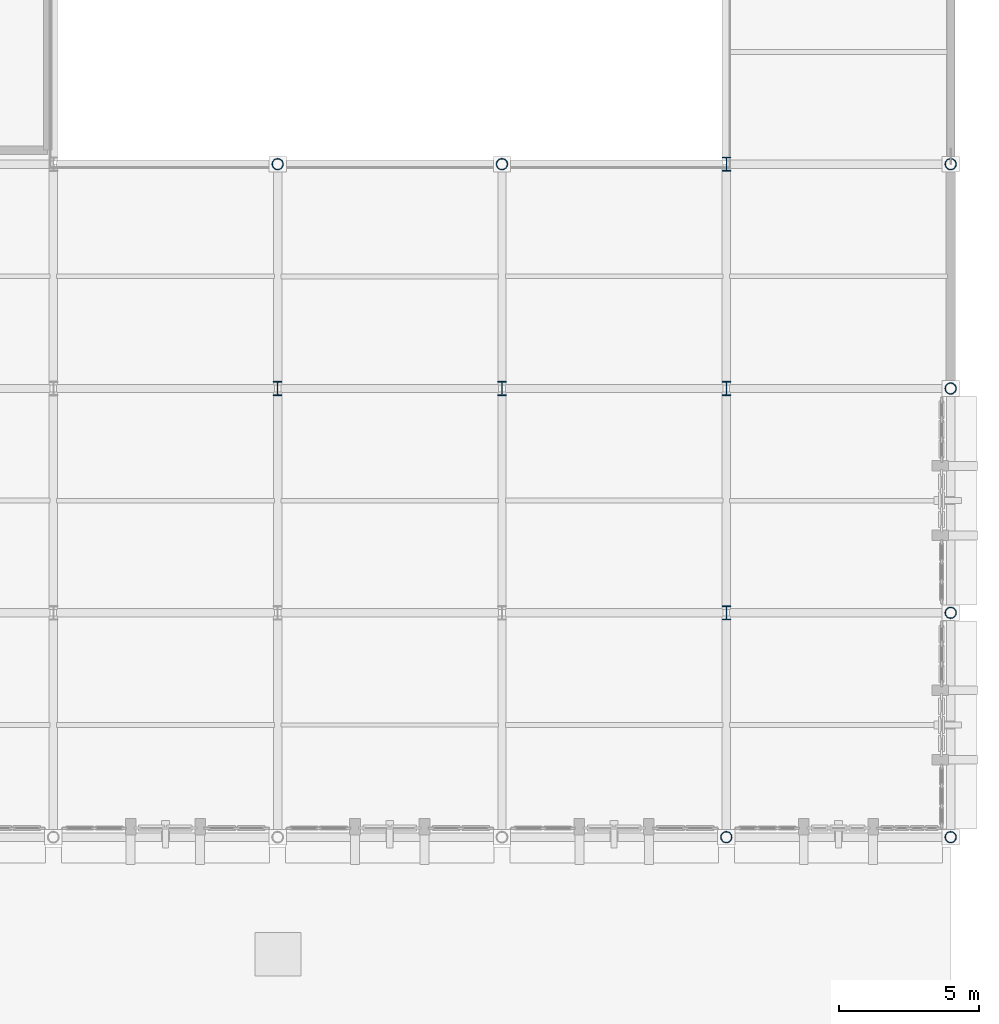
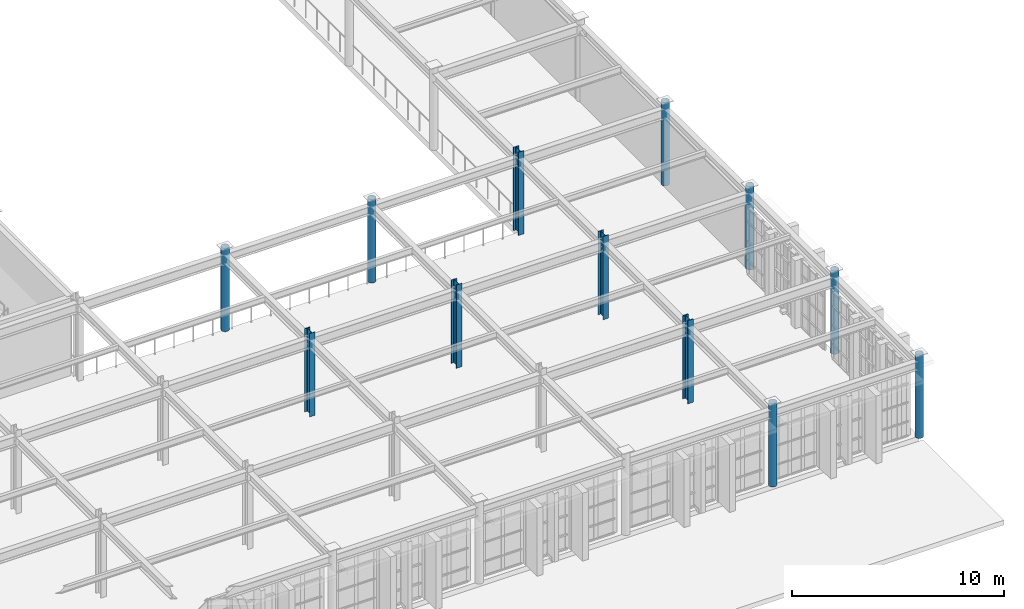
# One storey, part 3 of 155: 12 columns.
"""IFC4 building model written with IfcOpenShell, lengths in metres."""

from ifc_helpers import new_model, si_unit, direction, frame, origin, origin_2d, place, context, subcontext, project, spatial, hollow_circle, i_section, extrude, material, material_profile, profile_set, type_object, element, save


model = new_model("IFC4")

# Units and contexts
model_context = context("Model", 3, precision=1e-05, world=origin(), true_north=direction((0.0, 1.0)))
body_context = subcontext(model_context, "Body", "Model", "MODEL_VIEW")
ifc_project = project(units=[si_unit("LENGTHUNIT", "METRE"), si_unit("AREAUNIT", "SQUARE_METRE"), si_unit("VOLUMEUNIT", "CUBIC_METRE"), si_unit("PLANEANGLEUNIT", "RADIAN"), si_unit("MASSUNIT", "GRAM", prefix="KILO")], contexts=[model_context])

# Site, building, storey
site_placement = place(None, origin())
site = spatial("IfcSite", under=ifc_project, at=site_placement, CompositionType="ELEMENT")
building_placement = place(site_placement, origin())
building = spatial("IfcBuilding", under=site, at=building_placement, Name="Tazarka Park Arena", CompositionType="ELEMENT")
storey_placement = place(building_placement, frame((0.0, 0.0, 5.39990234375)))
storey = spatial("IfcBuildingStorey", under=building, at=storey_placement, Name="L01", CompositionType="ELEMENT", Elevation=5.39990234375)

# Columns
ifc_material_1 = material(Name="Steel S355", Category="steel")
ifc_material_profile_1 = material_profile(ifc_material_1, i_section(OverallWidth=0.300048828125, OverallDepth=0.5, WebThickness=0.014404296875, FlangeThickness=0.028076171875, FilletRadius=0.027099609375, at=origin_2d()), Name="Steel S355")
ifc_profile_set_1 = profile_set([ifc_material_profile_1], Name="Steel S355")
column_type_1 = type_object("IfcColumnType", Name="COL-SC-02", PredefinedType="COLUMN", material=ifc_profile_set_1)
for number, where, z_axis, x_axis, name in (
    (1, (160.0, 56.0, 0.0), (0.0, 0.0, 1.0), (1.0, 0.0, 0.0), "CLM-L01-20-07"),
    (2, (168.0, 56.0, 0.0), (0.0, 0.0, 1.0), (1.0, 0.0, 0.0), "CLM-L01-21-07"),
    (3, (176.0, 48.0, 0.0), (0.0, 0.0, 1.0), (1.0, 0.0, 0.0), "CLM-L01-22-06"),
    (4, (176.0, 56.0, 0.0), (0.0, 0.0, 1.0), (1.0, 0.0, 0.0), "CLM-L01-22-07"),
    (5, (176.0, 64.0, 0.0), (0.0, 0.0, 1.0), (1.0, 0.0, 0.0), "CLM-L01-22-08"),
):
    element("IfcColumn", number, at=place(storey_placement, frame(where, z_axis=z_axis, x_axis=x_axis)), inside=storey, type_object=column_type_1, Name=name, PredefinedType="COLUMN", context=body_context, shape_type="SweptSolid", body=[
        extrude(i_section(OverallWidth=0.300048828125, OverallDepth=0.5, WebThickness=0.014404296875, FlangeThickness=0.028076171875, FilletRadius=0.027099609375, at=origin_2d()), origin(), (0.0, 0.0, 1.0), 4.800048828125),
    ])
ifc_material_2 = material(Name="Steel S355", Category="steel")
ifc_material_profile_2 = material_profile(ifc_material_2, hollow_circle(Radius=0.203125, WallThickness=0.02001953125, at=origin_2d()), Name="Steel S355")
ifc_profile_set_2 = profile_set([ifc_material_profile_2], Name="Steel S355")
column_type_2 = type_object("IfcColumnType", Name="COL-SC-04", PredefinedType="COLUMN", material=ifc_profile_set_2)
for number, where, z_axis, x_axis, name in (
    (6, (160.0, 64.0, 0.0), (0.0, 0.0, 1.0), (1.0, 0.0, 0.0), "CLM-L01-20-08"),
    (7, (168.0, 64.0, 0.0), (0.0, 0.0, 1.0), (1.0, 0.0, 0.0), "CLM-L01-21-08"),
    (8, (176.0, 40.0, 0.0), (0.0, 0.0, 1.0), (1.0, 0.0, 0.0), "CLM-L01-22-05"),
    (9, (184.0, 40.0, 0.0), (0.0, 0.0, 1.0), (1.0, 0.0, 0.0), "CLM-L01-23-05"),
    (10, (184.0, 48.0, 0.0), (0.0, 0.0, 1.0), (1.0, 0.0, 0.0), "CLM-L01-23-06"),
    (11, (184.0, 56.0, 0.0), (0.0, 0.0, 1.0), (1.0, 0.0, 0.0), "CLM-L01-23-07"),
    (12, (184.0, 64.0, 0.0), (0.0, 0.0, 1.0), (1.0, 0.0, 0.0), "CLM-L01-23-08"),
):
    element("IfcColumn", number, at=place(storey_placement, frame(where, z_axis=z_axis, x_axis=x_axis)), inside=storey, type_object=column_type_2, Name=name, PredefinedType="COLUMN", context=body_context, shape_type="SweptSolid", body=[
        extrude(hollow_circle(Radius=0.203125, WallThickness=0.02001953125, at=origin_2d()), origin(), (0.0, 0.0, 1.0), 4.800048828125),
    ])

save(model, "model.ifc")
